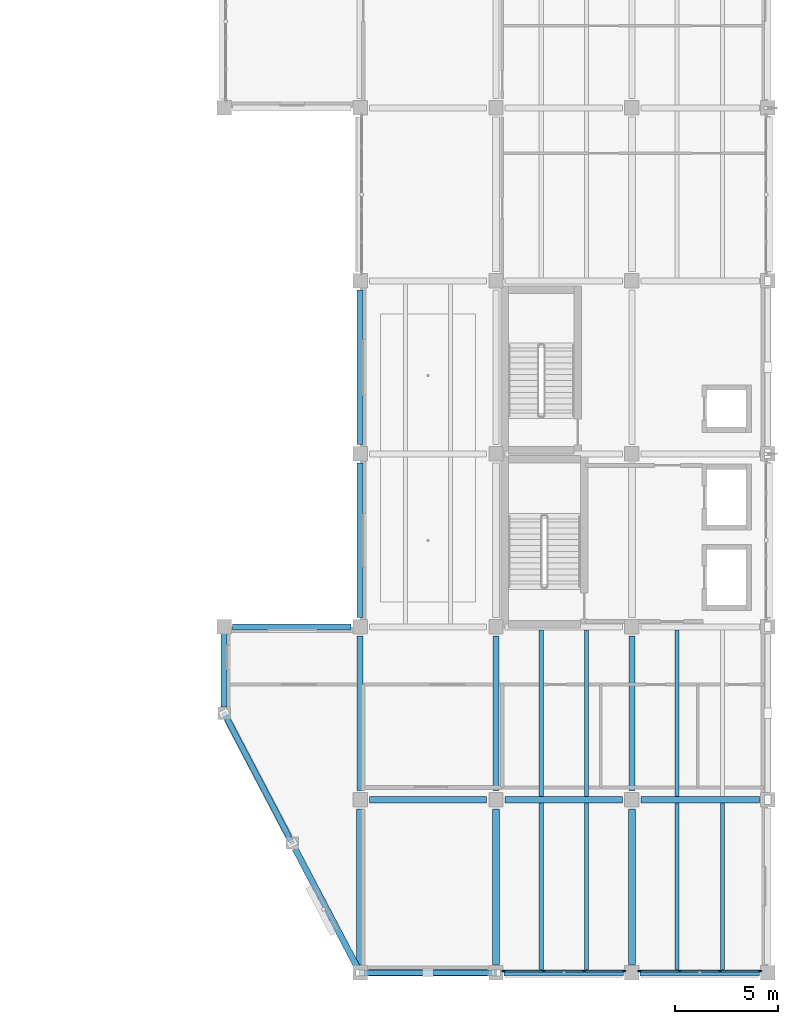
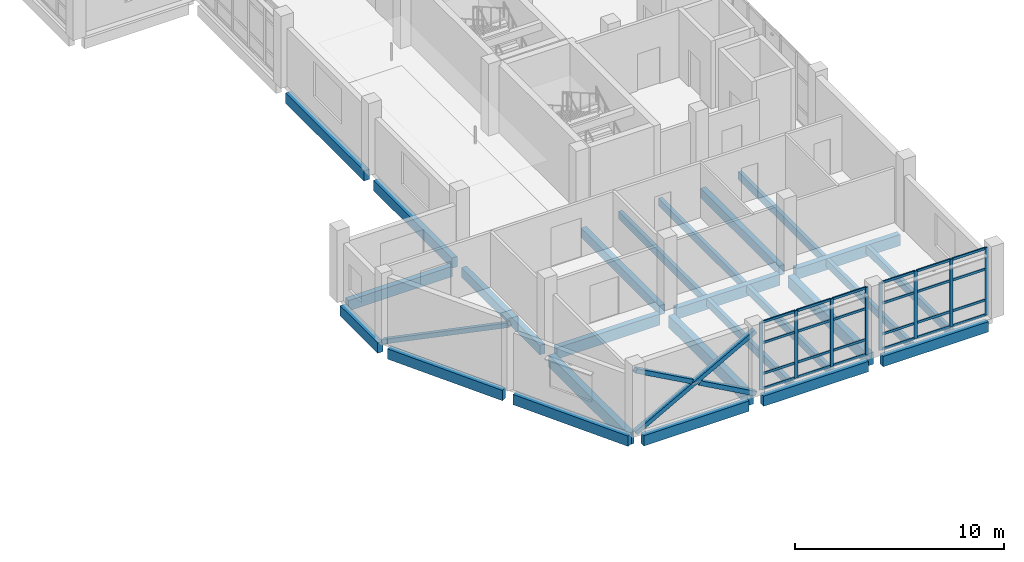
# One storey, part 19 of 74: 36 members, 25 beams, 2 elements without a shape of their own.
"""IFC4 building model written with IfcOpenShell, lengths in metres."""

from ifc_helpers import new_model, si_unit, direction, frame, origin, origin_2d, place, context, subcontext, project, spatial, rectangle, hollow_rectangle, extrude, material, material_profile, profile_set, type_object, element, aggregate, save


model = new_model("IFC4")

# Units and contexts
model_context = context("Model", 3, precision=1e-05, world=origin(), true_north=direction((0.0, 1.0)))
body_context = subcontext(model_context, "Body", "Model", "MODEL_VIEW")
ifc_project = project(units=[si_unit("LENGTHUNIT", "METRE"), si_unit("AREAUNIT", "SQUARE_METRE"), si_unit("VOLUMEUNIT", "CUBIC_METRE"), si_unit("PLANEANGLEUNIT", "RADIAN"), si_unit("MASSUNIT", "GRAM", prefix="KILO")], contexts=[model_context])

# Site, building, storey
site_placement = place(None, origin())
site = spatial("IfcSite", under=ifc_project, at=site_placement, CompositionType="ELEMENT")
building_placement = place(site_placement, origin())
building = spatial("IfcBuilding", under=site, at=building_placement, Name="Qaldarim Faculty of Natural and Applied Sciences", CompositionType="ELEMENT")
storey_placement = place(building_placement, frame((0.0, 0.0, 14.39990234375)))
storey = spatial("IfcBuildingStorey", under=building, at=storey_placement, Name="L03", CompositionType="ELEMENT", Elevation=14.39990234375)

# Beams
ifc_material_1 = material(Name="Concrete C40/50", Category="concrete")
ifc_material_profile_1 = material_profile(ifc_material_1, rectangle(XDim=0.300048828125, YDim=0.550048828125, at=origin_2d()), Name="RC-B300x550")
ifc_profile_set_1 = profile_set([ifc_material_profile_1], Name="Concrete C40/50")
beam_type_1 = type_object("IfcBeamType", Name="FloorBeam-RC300x550", PredefinedType="BEAM", material=ifc_profile_set_1)
for number, where, z_axis, x_axis, name in (
    (1, (158.39990234375, 8.85009765625, -0.534912109375), (0.0, 1.0, 0.0), (-1.0, 0.0, 0.0), "Beam RC-B300x550 L02 X25/Y02-Y03"),
    (2, (165.0, 8.85009765625, -0.534912109375), (0.0, 1.0, 0.0), (-1.0, 0.0, 0.0), "Beam RC-B300x550 L02 X26/Y02-Y03"),
    (3, (171.60009765625, 8.85009765625, -0.534912109375), (0.0, 1.0, 0.0), (-1.0, 0.0, 0.0), "Beam RC-B300x550 L02 X27/Y02-Y03"),
):
    element("IfcBeam", number, at=place(storey_placement, frame(where, z_axis=z_axis, x_axis=x_axis)), inside=storey, type_object=beam_type_1, Name=name, PredefinedType="BEAM", context=body_context, shape_type="SweptSolid", body=[
        extrude(rectangle(XDim=0.300048828125, YDim=0.550048828125, at=origin_2d()), origin(), (0.0, 0.0, 1.0), 7.5),
    ])
ifc_material_profile_2 = material_profile(ifc_material_1, rectangle(XDim=0.199951171875, YDim=0.449951171875, at=origin_2d()), Name="RC-J200x450")
ifc_profile_set_2 = profile_set([ifc_material_profile_2], Name="Concrete C40/50")
beam_type_2 = type_object("IfcBeamType", Name="LabJoist-RC200x450", PredefinedType="JOIST", material=ifc_profile_set_2)
for number, where, z_axis, x_axis, name in (
    (4, (167.199951171875, 0.14990234375, -0.48486328125), (0.0, 1.0, 0.0), (-1.0, 0.0, 0.0), "Laboratory joist L02 bay X26Y01-1"),
    (5, (169.39990234375, 0.14990234375, -0.48486328125), (0.0, 1.0, 0.0), (-1.0, 0.0, 0.0), "Laboratory joist L02 bay X26Y01-2"),
):
    element("IfcBeam", number, at=place(storey_placement, frame(where, z_axis=z_axis, x_axis=x_axis)), inside=storey, type_object=beam_type_2, Name=name, PredefinedType="JOIST", context=body_context, shape_type="SweptSolid", body=[
        extrude(rectangle(XDim=0.199951171875, YDim=0.449951171875, at=origin_2d()), origin(), (0.0, 0.0, 1.0), 8.10009765625),
    ])
for number, where, z_axis, x_axis, name in (
    (6, (167.199951171875, 8.550048828125, -0.48486328125), (0.0, 1.0, 0.0), (-1.0, 0.0, 0.0), "Laboratory joist L02 bay X26Y02-1"),
    (7, (169.39990234375, 8.550048828125, -0.48486328125), (0.0, 1.0, 0.0), (-1.0, 0.0, 0.0), "Laboratory joist L02 bay X26Y02-2"),
):
    element("IfcBeam", number, at=place(storey_placement, frame(where, z_axis=z_axis, x_axis=x_axis)), inside=storey, type_object=beam_type_2, Name=name, PredefinedType="JOIST", context=body_context, shape_type="SweptSolid", body=[
        extrude(rectangle(XDim=0.199951171875, YDim=0.449951171875, at=origin_2d()), origin(), (0.0, 0.0, 1.0), 8.099853515625),
    ])
for number, where, z_axis, x_axis, name in (
    (8, (173.800048828125, 0.14990234375, -0.48486328125), (0.0, 1.0, 0.0), (-1.0, 0.0, 0.0), "Laboratory joist L02 bay X27Y01-1"),
    (9, (176.0, 0.14990234375, -0.48486328125), (0.0, 1.0, 0.0), (-1.0, 0.0, 0.0), "Laboratory joist L02 bay X27Y01-2"),
):
    element("IfcBeam", number, at=place(storey_placement, frame(where, z_axis=z_axis, x_axis=x_axis)), inside=storey, type_object=beam_type_2, Name=name, PredefinedType="JOIST", context=body_context, shape_type="SweptSolid", body=[
        extrude(rectangle(XDim=0.199951171875, YDim=0.449951171875, at=origin_2d()), origin(), (0.0, 0.0, 1.0), 8.10009765625),
    ])
beam_1_placement = place(storey_placement, frame((173.800048828125, 8.550048828125, -0.48486328125), z_axis=(0.0, 1.0, 0.0), x_axis=(-1.0, 0.0, 0.0)))
element("IfcBeam", 10, at=beam_1_placement, inside=storey, type_object=beam_type_2, Name="Laboratory joist L02 bay X27Y02-1", PredefinedType="JOIST", context=body_context, shape_type="SweptSolid", body=[
    extrude(rectangle(XDim=0.199951171875, YDim=0.449951171875, at=origin_2d()), origin(), (0.0, 0.0, 1.0), 8.099853515625),
])

# Members
ifc_material_2 = material(Name="Structural steel S355", Category="steel")
ifc_material_profile_3 = material_profile(ifc_material_2, hollow_rectangle(XDim=0.25, YDim=0.25, WallThickness=0.01611328125, at=origin_2d()), Name="SHS 250x250x16.0")
ifc_profile_set_3 = profile_set([ifc_material_profile_3], Name="Structural steel S355")
member_type_1 = type_object("IfcMemberType", Name="MidWingBrace-SHS250x16", PredefinedType="BRACE", material=ifc_profile_set_3)
member_1_placement = place(storey_placement, frame((158.39990234375, 0.0, 0.0), z_axis=(0.875650427704, 0.0, 0.48294547152), x_axis=(0.0, 1.0, 0.0)))
element("IfcMember", 11, at=member_1_placement, inside=storey, type_object=member_type_1, Name="South diagrid L03 primary brace L", PredefinedType="BRACE", context=body_context, shape_type="SweptSolid", body=[
    extrude(hollow_rectangle(XDim=0.25, YDim=0.25, WallThickness=0.01611328125, at=origin_2d()), origin(), (0.0, 0.0, 1.0), 7.537353515625),
])
for number, where, z_axis, x_axis, name in (
    (12, (165.0, 0.0, 0.0), (-0.87533966412, 0.0, 0.483508502944), (0.0, -1.0, 0.0), "South diagrid L03 split secondary lower brace R1"),
    (13, (161.5048828125, 0.0, 1.925048828125), (-0.87533966412, 0.0, 0.483508502944), (0.0, -1.0, 0.0), "South diagrid L03 split secondary upper brace R2"),
):
    element("IfcMember", number, at=place(storey_placement, frame(where, z_axis=z_axis, x_axis=x_axis)), inside=storey, type_object=member_type_1, Name=name, PredefinedType="BRACE", context=body_context, shape_type="SweptSolid", body=[
        extrude(hollow_rectangle(XDim=0.25, YDim=0.25, WallThickness=0.01611328125, at=origin_2d()), origin(), (0.0, 0.0, 1.0), 3.547119140625),
    ])
member_2_placement = place(storey_placement, frame((151.800048828125, 12.60009765625, 0.0), z_axis=(0.41305009751, -0.788544630188, 0.455617145363), x_axis=(0.885830191482, 0.464009560095, 0.0)))
element("IfcMember", 14, at=member_2_placement, inside=storey, type_object=member_type_1, Name="Oblique SW chamfer exoskeleton brace L03 1", PredefinedType="BRACE", context=body_context, shape_type="SweptSolid", body=[
    extrude(hollow_rectangle(XDim=0.25, YDim=0.25, WallThickness=0.01611328125, at=origin_2d()), origin(), (0.0, 0.0, 1.0), 7.989501953125),
])

# Curtain wall, members
ifc_material_3 = material(Name="Anodised aluminium AW-6063", Category="aluminium")
curtain_wall_type = type_object("IfcCurtainWallType", Name="CurtainWallSystem-M1700", PredefinedType="USERDEFINED", material=ifc_material_3)
curtain_wall_1_placement = place(storey_placement, origin())
curtain_wall_1 = element("IfcCurtainWall", 15, at=curtain_wall_1_placement, inside=storey, type_object=curtain_wall_type, Name="Curtain wall CW-L03-S-X26Y01", ObjectType="UNITISED FACADE", PredefinedType="USERDEFINED")
ifc_material_profile_4 = material_profile(ifc_material_3, rectangle(XDim=0.070068359375, YDim=0.179931640625, at=origin_2d()), Name="ALU-M70x180")
ifc_profile_set_4 = profile_set([ifc_material_profile_4], Name="Anodised aluminium AW-6063")
member_type_2 = type_object("IfcMemberType", Name="Mullion-ALU70x180", PredefinedType="MULLION", material=ifc_profile_set_4)
member_3_placement = place(storey_placement, frame((165.3798828125, 0.080078125, 0.0), z_axis=(0.0, 0.0, 1.0), x_axis=(0.0, 1.0, 0.0)))
member_3 = element("IfcMember", 16, at=member_3_placement, type_object=member_type_2, Name="Mullion 1 of CW-L03-S-X26Y01", PredefinedType="MULLION", context=body_context, shape_type="SweptSolid", body=[
    extrude(rectangle(XDim=0.070068359375, YDim=0.179931640625, at=origin_2d()), origin(), (0.0, 0.0, 1.0), 3.940185546875),
])
member_4_placement = place(storey_placement, frame((167.31494140625, 0.080078125, 0.0), z_axis=(0.0, 0.0, 1.0), x_axis=(0.0, 1.0, 0.0)))
member_4 = element("IfcMember", 17, at=member_4_placement, type_object=member_type_2, Name="Mullion 2 of CW-L03-S-X26Y01", PredefinedType="MULLION", context=body_context, shape_type="SweptSolid", body=[
    extrude(rectangle(XDim=0.070068359375, YDim=0.179931640625, at=origin_2d()), origin(), (0.0, 0.0, 1.0), 3.940185546875),
])
member_5_placement = place(storey_placement, frame((169.284912109375, 0.080078125, 0.0), z_axis=(0.0, 0.0, 1.0), x_axis=(0.0, 1.0, 0.0)))
member_5 = element("IfcMember", 18, at=member_5_placement, type_object=member_type_2, Name="Mullion 3 of CW-L03-S-X26Y01", PredefinedType="MULLION", context=body_context, shape_type="SweptSolid", body=[
    extrude(rectangle(XDim=0.070068359375, YDim=0.179931640625, at=origin_2d()), origin(), (0.0, 0.0, 1.0), 3.940185546875),
])
member_6_placement = place(storey_placement, frame((171.219970703125, 0.080078125, 0.0), z_axis=(0.0, 0.0, 1.0), x_axis=(0.0, 1.0, 0.0)))
member_6 = element("IfcMember", 19, at=member_6_placement, type_object=member_type_2, Name="Mullion 4 of CW-L03-S-X26Y01", PredefinedType="MULLION", context=body_context, shape_type="SweptSolid", body=[
    extrude(rectangle(XDim=0.070068359375, YDim=0.179931640625, at=origin_2d()), origin(), (0.0, 0.0, 1.0), 3.940185546875),
])

curtain_wall_2_placement = place(storey_placement, origin())
curtain_wall_2 = element("IfcCurtainWall", 20, at=curtain_wall_2_placement, inside=storey, type_object=curtain_wall_type, Name="Curtain wall CW-L03-S-X27Y01", ObjectType="UNITISED FACADE", PredefinedType="USERDEFINED")
member_7_placement = place(storey_placement, frame((171.97998046875, 0.080078125, 0.0), z_axis=(0.0, 0.0, 1.0), x_axis=(0.0, 1.0, 0.0)))
member_7 = element("IfcMember", 21, at=member_7_placement, type_object=member_type_2, Name="Mullion 1 of CW-L03-S-X27Y01", PredefinedType="MULLION", context=body_context, shape_type="SweptSolid", body=[
    extrude(rectangle(XDim=0.070068359375, YDim=0.179931640625, at=origin_2d()), origin(), (0.0, 0.0, 1.0), 3.940185546875),
])
member_8_placement = place(storey_placement, frame((173.9150390625, 0.080078125, 0.0), z_axis=(0.0, 0.0, 1.0), x_axis=(0.0, 1.0, 0.0)))
member_8 = element("IfcMember", 22, at=member_8_placement, type_object=member_type_2, Name="Mullion 2 of CW-L03-S-X27Y01", PredefinedType="MULLION", context=body_context, shape_type="SweptSolid", body=[
    extrude(rectangle(XDim=0.070068359375, YDim=0.179931640625, at=origin_2d()), origin(), (0.0, 0.0, 1.0), 3.940185546875),
])
member_9_placement = place(storey_placement, frame((175.885009765625, 0.080078125, 0.0), z_axis=(0.0, 0.0, 1.0), x_axis=(0.0, 1.0, 0.0)))
member_9 = element("IfcMember", 23, at=member_9_placement, type_object=member_type_2, Name="Mullion 3 of CW-L03-S-X27Y01", PredefinedType="MULLION", context=body_context, shape_type="SweptSolid", body=[
    extrude(rectangle(XDim=0.070068359375, YDim=0.179931640625, at=origin_2d()), origin(), (0.0, 0.0, 1.0), 3.940185546875),
])
member_10_placement = place(storey_placement, frame((177.820068359375, 0.080078125, 0.0), z_axis=(0.0, 0.0, 1.0), x_axis=(0.0, 1.0, 0.0)))
member_10 = element("IfcMember", 24, at=member_10_placement, type_object=member_type_2, Name="Mullion 4 of CW-L03-S-X27Y01", PredefinedType="MULLION", context=body_context, shape_type="SweptSolid", body=[
    extrude(rectangle(XDim=0.070068359375, YDim=0.179931640625, at=origin_2d()), origin(), (0.0, 0.0, 1.0), 3.940185546875),
])

# Beams
ifc_material_profile_5 = material_profile(ifc_material_1, rectangle(XDim=0.300048828125, YDim=0.64990234375, at=origin_2d()), Name="RC-B300x650")
ifc_profile_set_5 = profile_set([ifc_material_profile_5], Name="Concrete C40/50")
beam_type_3 = type_object("IfcBeamType", Name="PrimaryBeam-RC300x650", PredefinedType="BEAM", material=ifc_profile_set_5)
for number, where, z_axis, x_axis, name in (
    (25, (158.85009765625, 8.39990234375, -0.5849609375), (1.0, 0.0, 0.0), (0.0, 1.0, 0.0), "Beam RC-B300x650 L02 X25-X26/Y02"),
    (26, (165.449951171875, 8.39990234375, -0.5849609375), (1.0, 0.0, 0.0), (0.0, 1.0, 0.0), "Beam RC-B300x650 L02 X26-X27/Y02"),
):
    element("IfcBeam", number, at=place(storey_placement, frame(where, z_axis=z_axis, x_axis=x_axis)), inside=storey, type_object=beam_type_3, Name=name, PredefinedType="BEAM", context=body_context, shape_type="SweptSolid", body=[
        extrude(rectangle(XDim=0.300048828125, YDim=0.64990234375, at=origin_2d()), origin(), (0.0, 0.0, 1.0), 5.699951171875),
    ])
beam_2_placement = place(storey_placement, frame((172.050048828125, 8.39990234375, -0.5849609375), z_axis=(1.0, 0.0, 0.0), x_axis=(0.0, 1.0, 0.0)))
element("IfcBeam", 27, at=beam_2_placement, inside=storey, type_object=beam_type_3, Name="Beam RC-B300x650 L02 X27-X28/Y02", PredefinedType="BEAM", context=body_context, shape_type="SweptSolid", body=[
    extrude(rectangle(XDim=0.300048828125, YDim=0.64990234375, at=origin_2d()), origin(), (0.0, 0.0, 1.0), 5.75),
])
ifc_material_profile_6 = material_profile(ifc_material_1, rectangle(XDim=0.35009765625, YDim=0.699951171875, at=origin_2d()), Name="RC-B350x700")
ifc_profile_set_6 = profile_set([ifc_material_profile_6], Name="Concrete C40/50")
beam_type_4 = type_object("IfcBeamType", Name="PrimaryGirder-RC350x700", PredefinedType="BEAM", material=ifc_profile_set_6)
for number, where, z_axis, x_axis, name in (
    (28, (158.39990234375, 0.39990234375, -0.60986328125), (0.0, 1.0, 0.0), (-1.0, 0.0, 0.0), "Beam RC-B350x700 L02 X25/Y01-Y02"),
    (29, (165.0, 0.39990234375, -0.60986328125), (0.0, 1.0, 0.0), (-1.0, 0.0, 0.0), "Beam RC-B350x700 L02 X26/Y01-Y02"),
    (30, (171.60009765625, 0.39990234375, -0.60986328125), (0.0, 1.0, 0.0), (-1.0, 0.0, 0.0), "Beam RC-B350x700 L02 X27/Y01-Y02"),
):
    element("IfcBeam", number, at=place(storey_placement, frame(where, z_axis=z_axis, x_axis=x_axis)), inside=storey, type_object=beam_type_4, Name=name, PredefinedType="BEAM", context=body_context, shape_type="SweptSolid", body=[
        extrude(rectangle(XDim=0.35009765625, YDim=0.699951171875, at=origin_2d()), origin(), (0.0, 0.0, 1.0), 7.550048828125),
    ])
ifc_material_4 = material(Name="Precast concrete C40/50", Category="concrete")
ifc_material_profile_7 = material_profile(ifc_material_4, rectangle(XDim=0.300048828125, YDim=0.60009765625, at=origin_2d()), Name="RC-SP300x600")
ifc_profile_set_7 = profile_set([ifc_material_profile_7], Name="Precast concrete C40/50")
beam_type_5 = type_object("IfcBeamType", Name="SpandrelBeam-RC300x600", PredefinedType="SPANDREL", material=ifc_profile_set_7)
for number, where, z_axis, x_axis, name in (
    (31, (158.800048828125, 0.0, -0.559814453125), (1.0, 0.0, 0.0), (0.0, 1.0, 0.0), "Beam RC-SP300x600 L02 X25-X26/Y01"),
    (32, (165.39990234375, 0.0, -0.559814453125), (1.0, 0.0, 0.0), (0.0, 1.0, 0.0), "Beam RC-SP300x600 L02 X26-X27/Y01"),
    (33, (172.0, 0.0, -0.559814453125), (1.0, 0.0, 0.0), (0.0, 1.0, 0.0), "Beam RC-SP300x600 L02 X27-X28/Y01"),
):
    element("IfcBeam", number, at=place(storey_placement, frame(where, z_axis=z_axis, x_axis=x_axis)), inside=storey, type_object=beam_type_5, Name=name, PredefinedType="SPANDREL", context=body_context, shape_type="SweptSolid", body=[
        extrude(rectangle(XDim=0.300048828125, YDim=0.60009765625, at=origin_2d()), origin(), (0.0, 0.0, 1.0), 5.800048828125),
    ])
beam_3_placement = place(storey_placement, frame((152.199951171875, 16.800048828125, -0.559814453125), z_axis=(1.0, 0.0, 0.0), x_axis=(0.0, 1.0, 0.0)))
element("IfcBeam", 34, at=beam_3_placement, inside=storey, type_object=beam_type_5, Name="Beam RC-SP300x600 L02 X24-X25/Y03", PredefinedType="SPANDREL", context=body_context, shape_type="SweptSolid", body=[
    extrude(rectangle(XDim=0.300048828125, YDim=0.60009765625, at=origin_2d()), origin(), (0.0, 0.0, 1.0), 5.75),
])
for number, where, z_axis, x_axis, name in (
    (35, (158.39990234375, 17.25, -0.559814453125), (0.0, 1.0, 0.0), (-1.0, 0.0, 0.0), "Beam RC-SP300x600 L02 X25/Y03-Y04"),
    (36, (158.39990234375, 25.64990234375, -0.559814453125), (0.0, 1.0, 0.0), (-1.0, 0.0, 0.0), "Beam RC-SP300x600 L02 X25/Y04-Y05"),
):
    element("IfcBeam", number, at=place(storey_placement, frame(where, z_axis=z_axis, x_axis=x_axis)), inside=storey, type_object=beam_type_5, Name=name, PredefinedType="SPANDREL", context=body_context, shape_type="SweptSolid", body=[
        extrude(rectangle(XDim=0.300048828125, YDim=0.60009765625, at=origin_2d()), origin(), (0.0, 0.0, 1.0), 7.5),
    ])
beam_4_placement = place(storey_placement, frame((151.800048828125, 16.5, -0.559814453125), z_axis=(0.0, -1.0, 0.0), x_axis=(1.0, 0.0, 0.0)))
element("IfcBeam", 37, at=beam_4_placement, inside=storey, type_object=beam_type_5, Name="Oblique SW chamfer spandrel L02 1", PredefinedType="SPANDREL", context=body_context, shape_type="SweptSolid", body=[
    extrude(rectangle(XDim=0.300048828125, YDim=0.60009765625, at=origin_2d()), origin(), (0.0, 0.0, 1.0), 3.60009765625),
])
for number, where, z_axis, x_axis, name in (
    (38, (151.93994140625, 12.330078125, -0.559814453125), (0.464353423794, -0.885649986061, 0.0), (0.885649986061, 0.464353423794, 0.0), "Oblique SW chamfer spandrel L02 2"),
    (39, (155.239990234375, 6.030029296875, -0.559814453125), (0.464353423794, -0.885649986061, 0.0), (0.885649986061, 0.464353423794, 0.0), "Oblique SW chamfer spandrel L02 3"),
):
    element("IfcBeam", number, at=place(storey_placement, frame(where, z_axis=z_axis, x_axis=x_axis)), inside=storey, type_object=beam_type_5, Name=name, PredefinedType="SPANDREL", context=body_context, shape_type="SweptSolid", body=[
        extrude(rectangle(XDim=0.300048828125, YDim=0.60009765625, at=origin_2d()), origin(), (0.0, 0.0, 1.0), 6.503662109375),
    ])

# Member
ifc_material_profile_8 = material_profile(ifc_material_3, rectangle(XDim=0.070068359375, YDim=0.139892578125, at=origin_2d()), Name="ALU-T70x140")
ifc_profile_set_8 = profile_set([ifc_material_profile_8], Name="Anodised aluminium AW-6063")
member_type_3 = type_object("IfcMemberType", Name="Transom-ALU70x140", PredefinedType="USERDEFINED", material=ifc_profile_set_8)
member_11_placement = place(storey_placement, frame((165.4150390625, 0.080078125, 0.03515625), z_axis=(1.0, 0.0, 0.0), x_axis=(0.0, 1.0, 0.0)))
member_11 = element("IfcMember", 40, at=member_11_placement, type_object=member_type_3, Name="Transom 1-1 of CW-L03-S-X26Y01", ObjectType="TRANSOM", PredefinedType="USERDEFINED", context=body_context, shape_type="SweptSolid", body=[
    extrude(rectangle(XDim=0.070068359375, YDim=0.139892578125, at=origin_2d()), origin(), (0.0, 0.0, 1.0), 1.864990234375),
])

member_12_placement = place(storey_placement, frame((165.4150390625, 0.080078125, 0.900146484375), z_axis=(1.0, 0.0, 0.0), x_axis=(0.0, 1.0, 0.0)))
member_12 = element("IfcMember", 41, at=member_12_placement, type_object=member_type_3, Name="Transom 1-2 of CW-L03-S-X26Y01", ObjectType="TRANSOM", PredefinedType="USERDEFINED", context=body_context, shape_type="SweptSolid", body=[
    extrude(rectangle(XDim=0.070068359375, YDim=0.139892578125, at=origin_2d()), origin(), (0.0, 0.0, 1.0), 1.864990234375),
])

member_13_placement = place(storey_placement, frame((165.4150390625, 0.080078125, 2.7001953125), z_axis=(1.0, 0.0, 0.0), x_axis=(0.0, 1.0, 0.0)))
member_13 = element("IfcMember", 42, at=member_13_placement, type_object=member_type_3, Name="Transom 1-3 of CW-L03-S-X26Y01", ObjectType="TRANSOM", PredefinedType="USERDEFINED", context=body_context, shape_type="SweptSolid", body=[
    extrude(rectangle(XDim=0.070068359375, YDim=0.139892578125, at=origin_2d()), origin(), (0.0, 0.0, 1.0), 1.864990234375),
])

member_14_placement = place(storey_placement, frame((165.4150390625, 0.080078125, 3.905029296875), z_axis=(1.0, 0.0, 0.0), x_axis=(0.0, 1.0, 0.0)))
member_14 = element("IfcMember", 43, at=member_14_placement, type_object=member_type_3, Name="Transom 1-4 of CW-L03-S-X26Y01", ObjectType="TRANSOM", PredefinedType="USERDEFINED", context=body_context, shape_type="SweptSolid", body=[
    extrude(rectangle(XDim=0.070068359375, YDim=0.139892578125, at=origin_2d()), origin(), (0.0, 0.0, 1.0), 1.864990234375),
])

member_15_placement = place(storey_placement, frame((167.35009765625, 0.080078125, 0.03515625), z_axis=(1.0, 0.0, 0.0), x_axis=(0.0, 1.0, 0.0)))
member_15 = element("IfcMember", 44, at=member_15_placement, type_object=member_type_3, Name="Transom 2-1 of CW-L03-S-X26Y01", ObjectType="TRANSOM", PredefinedType="USERDEFINED", context=body_context, shape_type="SweptSolid", body=[
    extrude(rectangle(XDim=0.070068359375, YDim=0.139892578125, at=origin_2d()), origin(), (0.0, 0.0, 1.0), 1.89990234375),
])

member_16_placement = place(storey_placement, frame((167.35009765625, 0.080078125, 0.900146484375), z_axis=(1.0, 0.0, 0.0), x_axis=(0.0, 1.0, 0.0)))
member_16 = element("IfcMember", 45, at=member_16_placement, type_object=member_type_3, Name="Transom 2-2 of CW-L03-S-X26Y01", ObjectType="TRANSOM", PredefinedType="USERDEFINED", context=body_context, shape_type="SweptSolid", body=[
    extrude(rectangle(XDim=0.070068359375, YDim=0.139892578125, at=origin_2d()), origin(), (0.0, 0.0, 1.0), 1.89990234375),
])

member_17_placement = place(storey_placement, frame((167.35009765625, 0.080078125, 2.7001953125), z_axis=(1.0, 0.0, 0.0), x_axis=(0.0, 1.0, 0.0)))
member_17 = element("IfcMember", 46, at=member_17_placement, type_object=member_type_3, Name="Transom 2-3 of CW-L03-S-X26Y01", ObjectType="TRANSOM", PredefinedType="USERDEFINED", context=body_context, shape_type="SweptSolid", body=[
    extrude(rectangle(XDim=0.070068359375, YDim=0.139892578125, at=origin_2d()), origin(), (0.0, 0.0, 1.0), 1.89990234375),
])

member_18_placement = place(storey_placement, frame((167.35009765625, 0.080078125, 3.905029296875), z_axis=(1.0, 0.0, 0.0), x_axis=(0.0, 1.0, 0.0)))
member_18 = element("IfcMember", 47, at=member_18_placement, type_object=member_type_3, Name="Transom 2-4 of CW-L03-S-X26Y01", ObjectType="TRANSOM", PredefinedType="USERDEFINED", context=body_context, shape_type="SweptSolid", body=[
    extrude(rectangle(XDim=0.070068359375, YDim=0.139892578125, at=origin_2d()), origin(), (0.0, 0.0, 1.0), 1.89990234375),
])

member_19_placement = place(storey_placement, frame((169.320068359375, 0.080078125, 0.03515625), z_axis=(1.0, 0.0, 0.0), x_axis=(0.0, 1.0, 0.0)))
member_19 = element("IfcMember", 48, at=member_19_placement, type_object=member_type_3, Name="Transom 3-1 of CW-L03-S-X26Y01", ObjectType="TRANSOM", PredefinedType="USERDEFINED", context=body_context, shape_type="SweptSolid", body=[
    extrude(rectangle(XDim=0.070068359375, YDim=0.139892578125, at=origin_2d()), origin(), (0.0, 0.0, 1.0), 1.864990234375),
])

member_20_placement = place(storey_placement, frame((169.320068359375, 0.080078125, 0.900146484375), z_axis=(1.0, 0.0, 0.0), x_axis=(0.0, 1.0, 0.0)))
member_20 = element("IfcMember", 49, at=member_20_placement, type_object=member_type_3, Name="Transom 3-2 of CW-L03-S-X26Y01", ObjectType="TRANSOM", PredefinedType="USERDEFINED", context=body_context, shape_type="SweptSolid", body=[
    extrude(rectangle(XDim=0.070068359375, YDim=0.139892578125, at=origin_2d()), origin(), (0.0, 0.0, 1.0), 1.864990234375),
])

member_21_placement = place(storey_placement, frame((169.320068359375, 0.080078125, 2.7001953125), z_axis=(1.0, 0.0, 0.0), x_axis=(0.0, 1.0, 0.0)))
member_21 = element("IfcMember", 50, at=member_21_placement, type_object=member_type_3, Name="Transom 3-3 of CW-L03-S-X26Y01", ObjectType="TRANSOM", PredefinedType="USERDEFINED", context=body_context, shape_type="SweptSolid", body=[
    extrude(rectangle(XDim=0.070068359375, YDim=0.139892578125, at=origin_2d()), origin(), (0.0, 0.0, 1.0), 1.864990234375),
])

member_22_placement = place(storey_placement, frame((169.320068359375, 0.080078125, 3.905029296875), z_axis=(1.0, 0.0, 0.0), x_axis=(0.0, 1.0, 0.0)))
member_22 = element("IfcMember", 51, at=member_22_placement, type_object=member_type_3, Name="Transom 3-4 of CW-L03-S-X26Y01", ObjectType="TRANSOM", PredefinedType="USERDEFINED", context=body_context, shape_type="SweptSolid", body=[
    extrude(rectangle(XDim=0.070068359375, YDim=0.139892578125, at=origin_2d()), origin(), (0.0, 0.0, 1.0), 1.864990234375),
])

aggregate(curtain_wall_1, [member_3, member_4, member_5, member_6, member_11, member_12, member_13, member_14, member_15, member_16, member_17, member_18, member_19, member_20, member_21, member_22])

member_23_placement = place(storey_placement, frame((172.014892578125, 0.080078125, 0.03515625), z_axis=(1.0, 0.0, 0.0), x_axis=(0.0, 1.0, 0.0)))
member_23 = element("IfcMember", 52, at=member_23_placement, type_object=member_type_3, Name="Transom 1-1 of CW-L03-S-X27Y01", ObjectType="TRANSOM", PredefinedType="USERDEFINED", context=body_context, shape_type="SweptSolid", body=[
    extrude(rectangle(XDim=0.070068359375, YDim=0.139892578125, at=origin_2d()), origin(), (0.0, 0.0, 1.0), 1.864990234375),
])

member_24_placement = place(storey_placement, frame((172.014892578125, 0.080078125, 0.900146484375), z_axis=(1.0, 0.0, 0.0), x_axis=(0.0, 1.0, 0.0)))
member_24 = element("IfcMember", 53, at=member_24_placement, type_object=member_type_3, Name="Transom 1-2 of CW-L03-S-X27Y01", ObjectType="TRANSOM", PredefinedType="USERDEFINED", context=body_context, shape_type="SweptSolid", body=[
    extrude(rectangle(XDim=0.070068359375, YDim=0.139892578125, at=origin_2d()), origin(), (0.0, 0.0, 1.0), 1.864990234375),
])

member_25_placement = place(storey_placement, frame((172.014892578125, 0.080078125, 2.7001953125), z_axis=(1.0, 0.0, 0.0), x_axis=(0.0, 1.0, 0.0)))
member_25 = element("IfcMember", 54, at=member_25_placement, type_object=member_type_3, Name="Transom 1-3 of CW-L03-S-X27Y01", ObjectType="TRANSOM", PredefinedType="USERDEFINED", context=body_context, shape_type="SweptSolid", body=[
    extrude(rectangle(XDim=0.070068359375, YDim=0.139892578125, at=origin_2d()), origin(), (0.0, 0.0, 1.0), 1.864990234375),
])

member_26_placement = place(storey_placement, frame((172.014892578125, 0.080078125, 3.905029296875), z_axis=(1.0, 0.0, 0.0), x_axis=(0.0, 1.0, 0.0)))
member_26 = element("IfcMember", 55, at=member_26_placement, type_object=member_type_3, Name="Transom 1-4 of CW-L03-S-X27Y01", ObjectType="TRANSOM", PredefinedType="USERDEFINED", context=body_context, shape_type="SweptSolid", body=[
    extrude(rectangle(XDim=0.070068359375, YDim=0.139892578125, at=origin_2d()), origin(), (0.0, 0.0, 1.0), 1.864990234375),
])

member_27_placement = place(storey_placement, frame((173.949951171875, 0.080078125, 0.03515625), z_axis=(1.0, 0.0, 0.0), x_axis=(0.0, 1.0, 0.0)))
member_27 = element("IfcMember", 56, at=member_27_placement, type_object=member_type_3, Name="Transom 2-1 of CW-L03-S-X27Y01", ObjectType="TRANSOM", PredefinedType="USERDEFINED", context=body_context, shape_type="SweptSolid", body=[
    extrude(rectangle(XDim=0.070068359375, YDim=0.139892578125, at=origin_2d()), origin(), (0.0, 0.0, 1.0), 1.900146484375),
])

member_28_placement = place(storey_placement, frame((173.949951171875, 0.080078125, 0.900146484375), z_axis=(1.0, 0.0, 0.0), x_axis=(0.0, 1.0, 0.0)))
member_28 = element("IfcMember", 57, at=member_28_placement, type_object=member_type_3, Name="Transom 2-2 of CW-L03-S-X27Y01", ObjectType="TRANSOM", PredefinedType="USERDEFINED", context=body_context, shape_type="SweptSolid", body=[
    extrude(rectangle(XDim=0.070068359375, YDim=0.139892578125, at=origin_2d()), origin(), (0.0, 0.0, 1.0), 1.900146484375),
])

member_29_placement = place(storey_placement, frame((173.949951171875, 0.080078125, 2.7001953125), z_axis=(1.0, 0.0, 0.0), x_axis=(0.0, 1.0, 0.0)))
member_29 = element("IfcMember", 58, at=member_29_placement, type_object=member_type_3, Name="Transom 2-3 of CW-L03-S-X27Y01", ObjectType="TRANSOM", PredefinedType="USERDEFINED", context=body_context, shape_type="SweptSolid", body=[
    extrude(rectangle(XDim=0.070068359375, YDim=0.139892578125, at=origin_2d()), origin(), (0.0, 0.0, 1.0), 1.900146484375),
])

member_30_placement = place(storey_placement, frame((173.949951171875, 0.080078125, 3.905029296875), z_axis=(1.0, 0.0, 0.0), x_axis=(0.0, 1.0, 0.0)))
member_30 = element("IfcMember", 59, at=member_30_placement, type_object=member_type_3, Name="Transom 2-4 of CW-L03-S-X27Y01", ObjectType="TRANSOM", PredefinedType="USERDEFINED", context=body_context, shape_type="SweptSolid", body=[
    extrude(rectangle(XDim=0.070068359375, YDim=0.139892578125, at=origin_2d()), origin(), (0.0, 0.0, 1.0), 1.900146484375),
])

member_31_placement = place(storey_placement, frame((175.919921875, 0.080078125, 0.03515625), z_axis=(1.0, 0.0, 0.0), x_axis=(0.0, 1.0, 0.0)))
member_31 = element("IfcMember", 60, at=member_31_placement, type_object=member_type_3, Name="Transom 3-1 of CW-L03-S-X27Y01", ObjectType="TRANSOM", PredefinedType="USERDEFINED", context=body_context, shape_type="SweptSolid", body=[
    extrude(rectangle(XDim=0.070068359375, YDim=0.139892578125, at=origin_2d()), origin(), (0.0, 0.0, 1.0), 1.864990234375),
])

member_32_placement = place(storey_placement, frame((175.919921875, 0.080078125, 0.900146484375), z_axis=(1.0, 0.0, 0.0), x_axis=(0.0, 1.0, 0.0)))
member_32 = element("IfcMember", 61, at=member_32_placement, type_object=member_type_3, Name="Transom 3-2 of CW-L03-S-X27Y01", ObjectType="TRANSOM", PredefinedType="USERDEFINED", context=body_context, shape_type="SweptSolid", body=[
    extrude(rectangle(XDim=0.070068359375, YDim=0.139892578125, at=origin_2d()), origin(), (0.0, 0.0, 1.0), 1.864990234375),
])

member_33_placement = place(storey_placement, frame((175.919921875, 0.080078125, 2.7001953125), z_axis=(1.0, 0.0, 0.0), x_axis=(0.0, 1.0, 0.0)))
member_33 = element("IfcMember", 62, at=member_33_placement, type_object=member_type_3, Name="Transom 3-3 of CW-L03-S-X27Y01", ObjectType="TRANSOM", PredefinedType="USERDEFINED", context=body_context, shape_type="SweptSolid", body=[
    extrude(rectangle(XDim=0.070068359375, YDim=0.139892578125, at=origin_2d()), origin(), (0.0, 0.0, 1.0), 1.864990234375),
])

member_34_placement = place(storey_placement, frame((175.919921875, 0.080078125, 3.905029296875), z_axis=(1.0, 0.0, 0.0), x_axis=(0.0, 1.0, 0.0)))
member_34 = element("IfcMember", 63, at=member_34_placement, type_object=member_type_3, Name="Transom 3-4 of CW-L03-S-X27Y01", ObjectType="TRANSOM", PredefinedType="USERDEFINED", context=body_context, shape_type="SweptSolid", body=[
    extrude(rectangle(XDim=0.070068359375, YDim=0.139892578125, at=origin_2d()), origin(), (0.0, 0.0, 1.0), 1.864990234375),
])

aggregate(curtain_wall_2, [member_7, member_8, member_9, member_10, member_23, member_24, member_25, member_26, member_27, member_28, member_29, member_30, member_31, member_32, member_33, member_34])

save(model, "model.ifc")
